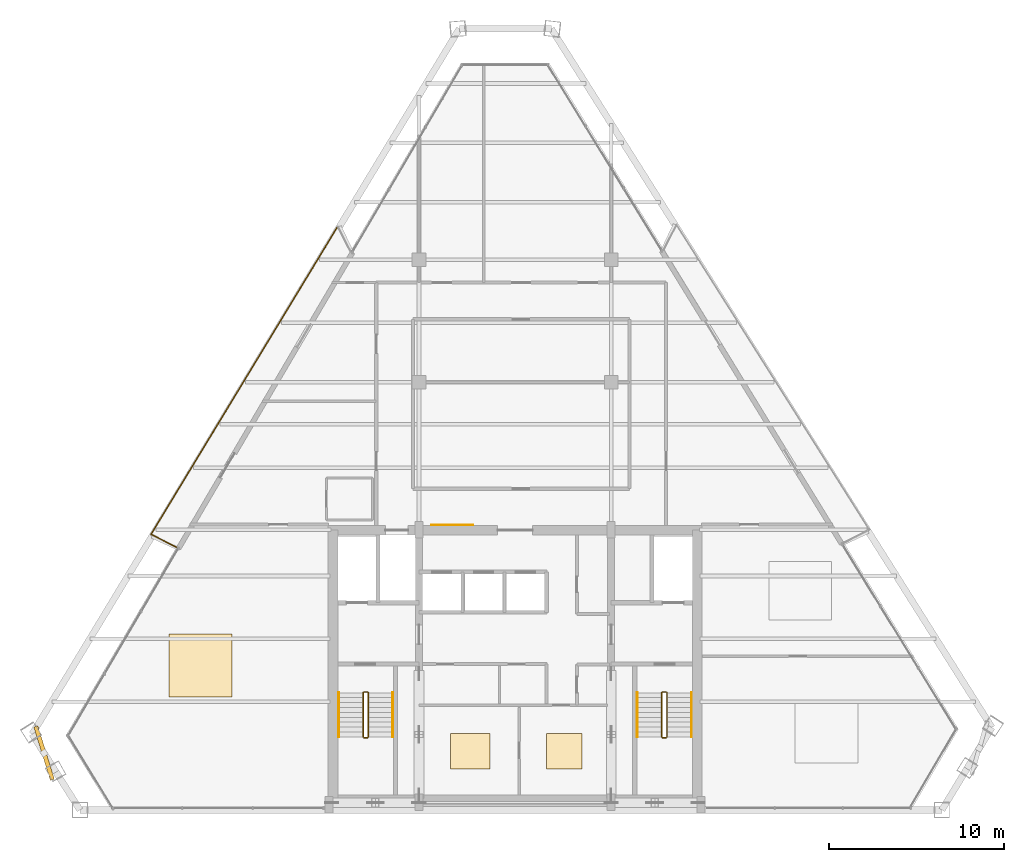
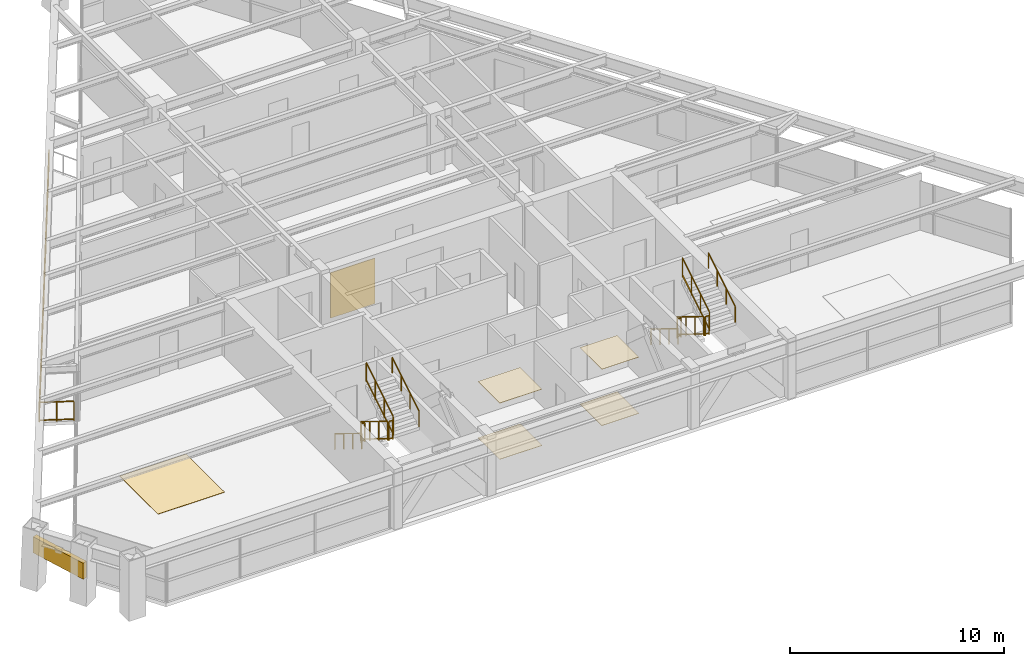
# One storey, part 12 of 13: 14 railings, 6 coverings, 1 shading device.
"""IFC4 building model written with IfcOpenShell, lengths in metres."""

import ifcopenshell
import ifcopenshell.guid

model = None  # the IFC model being written
_history = None  # IfcOwnerHistory: only IFC2X3 demands one
_inside = {}  # id of a spatial element -> (the spatial element, [elements in it])
_under = {}  # id of a project, library or spatial element -> (it, [spatial elements below it])
_declared = {}  # id of a project -> (the project, [libraries it declares])
_typed = {}  # id of a type object -> (the type object, [elements of that type])
_made_of = {}  # id of a material, layer set ... -> (it, [elements and type objects made of it])


def new_model(schema):
    """Start an empty IFC model of exactly this schema.

    Asked for "IFC4X3", IfcOpenShell would pick the latest addendum, in which some entities
    have other attributes; the version numbers below select the first issue.
    IFC2X3 requires an IfcOwnerHistory on every rooted entity: one is made here for all.
    """
    global model, _history
    if schema == "IFC4X3":
        model = ifcopenshell.file(schema_version=(4, 3, 0, 0))
    else:
        model = ifcopenshell.file(schema=schema)
    _inside.clear()
    _under.clear()
    _declared.clear()
    _typed.clear()
    _made_of.clear()
    _history = None
    if model.schema == "IFC2X3":
        org = make("IfcOrganization", Name="unknown")
        user = make(
            "IfcPersonAndOrganization",
            ThePerson=make("IfcPerson", FamilyName="unknown"),
            TheOrganization=org,
        )
        app = make(
            "IfcApplication",
            ApplicationDeveloper=org,
            Version="unknown",
            ApplicationFullName="unknown",
            ApplicationIdentifier="unknown",
        )
        _history = make(
            "IfcOwnerHistory",
            OwningUser=user,
            OwningApplication=app,
            ChangeAction="ADDED",
            CreationDate=0,
        )
    return model


def make(cls, **values):
    """One entity of the class cls with the attributes given. An attribute that is None is left unset."""
    return model.create_entity(
        cls, **{name: value for name, value in values.items() if value is not None}
    )


def rooted(cls, **values):
    """An entity with a GlobalId (a new one), such as an element, a storey or a relation."""
    return make(cls, GlobalId=ifcopenshell.guid.new(), OwnerHistory=_history, **values)


def si_unit(unit_type, name, prefix=None):
    """IfcSIUnit, for example si_unit("LENGTHUNIT", "METRE", prefix="MILLI")."""
    return make("IfcSIUnit", UnitType=unit_type, Prefix=prefix, Name=name)


def assignment(units):
    """IfcUnitAssignment: the units of a project."""
    return None if units is None else make("IfcUnitAssignment", Units=units)


def point(xyz):
    """IfcCartesianPoint."""
    return None if xyz is None else make("IfcCartesianPoint", Coordinates=xyz)


def direction(xyz):
    """IfcDirection."""
    return None if xyz is None else make("IfcDirection", DirectionRatios=xyz)


def frame(location, z_axis=None, x_axis=None):
    """IfcAxis2Placement3D, a coordinate frame: its origin and axes. An axis left out is left unset."""
    return make(
        "IfcAxis2Placement3D",
        Location=point(location),
        Axis=direction(z_axis),
        RefDirection=direction(x_axis),
    )


def frame_2d(location, x_axis=None):
    """IfcAxis2Placement2D, a coordinate frame in the plane: its origin and x axis."""
    return make(
        "IfcAxis2Placement2D", Location=point(location), RefDirection=direction(x_axis)
    )


def origin():
    """The frame at (0, 0, 0) with its axes left unset."""
    return frame((0.0, 0.0, 0.0))


def origin_2d():
    """The frame at (0, 0) in the plane with its x axis left unset."""
    return frame_2d((0.0, 0.0))


def place(relative_to, where):
    """IfcLocalPlacement: puts the frame where relative to a parent placement (None: the world)."""
    return make(
        "IfcLocalPlacement", PlacementRelTo=relative_to, RelativePlacement=where
    )


def context(
    kind, dimensions, precision=None, world=None, true_north=None, identifier=None
):
    """IfcGeometricRepresentationContext, for example the 3D "Model" context."""
    return make(
        "IfcGeometricRepresentationContext",
        ContextIdentifier=identifier,
        ContextType=kind,
        CoordinateSpaceDimension=dimensions,
        Precision=precision,
        WorldCoordinateSystem=world,
        TrueNorth=true_north,
    )


def subcontext(parent, identifier, kind, view, scale=None):
    """IfcGeometricRepresentationSubContext, for example "Body" below "Model"."""
    return make(
        "IfcGeometricRepresentationSubContext",
        ContextIdentifier=identifier,
        ContextType=kind,
        ParentContext=parent,
        TargetScale=scale,
        TargetView=view,
    )


def project(units=None, contexts=None):
    """IfcProject with its units and contexts."""
    return rooted(
        "IfcProject",
        Name="project",
        RepresentationContexts=contexts,
        UnitsInContext=assignment(units),
    )


def spatial(cls, under=None, at=None, **own):
    """A site, building, storey or space (cls), placed at a placement, below another one or the project."""
    s = rooted(cls, ObjectPlacement=at, **own)
    if under is not None:
        _under.setdefault(under.id(), (under, []))[1].append(s)
    return s


def profile(cls, at=None, kind="AREA", **sizes):
    """A parametric profile (cls). Its sizes go by their IFC names, for example OverallWidth=200.0."""
    return make(cls, ProfileType=kind, Position=at, **sizes)


def rectangle(**sizes):
    """IfcRectangleProfileDef."""
    return profile("IfcRectangleProfileDef", **sizes)


def extrude(swept, where, along, depth):
    """IfcExtrudedAreaSolid: the profile swept, set in the frame where, extruded along a direction by depth."""
    return make(
        "IfcExtrudedAreaSolid",
        SweptArea=swept,
        Position=where,
        ExtrudedDirection=direction(along),
        Depth=depth,
    )


def shape(context_of_items, identifier, shape_type, items):
    """IfcShapeRepresentation: the items that make up one representation, for example the "Body"."""
    return make(
        "IfcShapeRepresentation",
        ContextOfItems=context_of_items,
        RepresentationIdentifier=identifier,
        RepresentationType=shape_type,
        Items=items,
    )


def source(mapping_origin, context_of_items, identifier, shape_type, items):
    """IfcRepresentationMap: a shape defined once, which mapped items show again and again."""
    return make(
        "IfcRepresentationMap",
        MappingOrigin=mapping_origin,
        MappedRepresentation=shape(context_of_items, identifier, shape_type, items),
    )


def transform(
    local_origin,
    x_axis=None,
    y_axis=None,
    z_axis=None,
    scale=None,
    scale2=None,
    scale3=None,
    uniform=True,
):
    """IfcCartesianTransformationOperator3D, or its non-uniform kind. x_axis, y_axis, z_axis: its Axis1, 2, 3."""
    if uniform:
        return make(
            "IfcCartesianTransformationOperator3D",
            Axis1=direction(x_axis),
            Axis2=direction(y_axis),
            LocalOrigin=point(local_origin),
            Scale=scale,
            Axis3=direction(z_axis),
        )
    return make(
        "IfcCartesianTransformationOperator3DnonUniform",
        Axis1=direction(x_axis),
        Axis2=direction(y_axis),
        LocalOrigin=point(local_origin),
        Scale=scale,
        Axis3=direction(z_axis),
        Scale2=scale2,
        Scale3=scale3,
    )


def mapped(mapping_source, mapping_target):
    """IfcMappedItem: shows the shape of a source again, moved by a transform."""
    return make(
        "IfcMappedItem", MappingSource=mapping_source, MappingTarget=mapping_target
    )


def material(Name=None, Category=None):
    """IfcMaterial."""
    return make("IfcMaterial", Name=Name, Category=Category)


def layer(
    of_material, thickness, ventilated=None, Name=None, Category=None, Priority=None
):
    """IfcMaterialLayer: one layer of a wall or slab, of a material (None: an air gap)."""
    return make(
        "IfcMaterialLayer",
        Material=of_material,
        LayerThickness=thickness,
        IsVentilated=ventilated,
        Name=Name,
        Category=Category,
        Priority=Priority,
    )


def layer_set(layers, Name=None):
    """IfcMaterialLayerSet."""
    return make("IfcMaterialLayerSet", MaterialLayers=layers, LayerSetName=Name)


def made_of(thing, what):
    """Note that an element or type object is made of a material, layer set ...; save() writes the relation."""
    if what is not None:
        _made_of.setdefault(what.id(), (what, []))[1].append(thing)
    return thing


def type_object(cls, material=None, **own):
    """A type object (cls), such as IfcWallType, which elements share."""
    return made_of(rooted(cls, **own), material)


def type_shapes(of_type, sources):
    """Give a type object the sources (RepresentationMaps) that its elements show as mapped items."""
    of_type.RepresentationMaps = sources


def element(
    cls,
    number,
    at=None,
    inside=None,
    cuts=None,
    type_object=None,
    material=None,
    context=None,
    identifier="Body",
    shape_type=None,
    held_by="IfcProductDefinitionShape",
    body=None,
    shapes=None,
    **own,
):
    """One element of the class cls, such as IfcWall. Its Tag is "e" and its number.

    at: its placement. inside: the storey or other place that contains it. cuts: it is an
    opening in that element (IfcRelVoidsElement). A single representation is given by context,
    identifier, shape_type and body (its items); several are given by shapes. held_by: the class
    of the entity that holds the representations. save() writes the other relations.
    """
    e = rooted(cls, Tag="e%d" % number, ObjectPlacement=at, **own)
    if body is not None:
        shapes = [shape(context, identifier, shape_type, body)]
    if shapes is not None:
        e.Representation = make(held_by, Representations=shapes)
    if inside is not None:
        _inside.setdefault(inside.id(), (inside, []))[1].append(e)
    if cuts is not None:
        rooted(
            "IfcRelVoidsElement", RelatingBuildingElement=cuts, RelatedOpeningElement=e
        )
    if type_object is not None:
        _typed.setdefault(type_object.id(), (type_object, []))[1].append(e)
    return made_of(e, material)


def aggregate(whole, parts):
    """IfcRelAggregates: a whole, such as a stair, and the parts it consists of."""
    return rooted("IfcRelAggregates", RelatingObject=whole, RelatedObjects=parts)


def save(model, path):
    """Write the relations noted so far, then the file.

    IfcRelAggregates (storeys below a building ...), IfcRelContainedInSpatialStructure (elements
    in a storey), IfcRelDefinesByType, IfcRelAssociatesMaterial and IfcRelDeclares: one each for
    every whole, place, type object, material and project.
    """
    for whole, parts in _under.values():
        aggregate(whole, parts)
    for where, things in _inside.values():
        rooted(
            "IfcRelContainedInSpatialStructure",
            RelatedElements=things,
            RelatingStructure=where,
        )
    for kind, things in _typed.values():
        rooted("IfcRelDefinesByType", RelatedObjects=things, RelatingType=kind)
    for what, things in _made_of.values():
        rooted("IfcRelAssociatesMaterial", RelatedObjects=things, RelatingMaterial=what)
    for by, libraries in _declared.values():
        rooted("IfcRelDeclares", RelatingContext=by, RelatedDefinitions=libraries)
    model.write(path)


model = new_model("IFC4")

# Units and contexts
model_context = context("Model", 3, precision=1e-05, world=origin(), true_north=direction((0.0, 1.0)))
body_context = subcontext(model_context, "Body", "Model", "MODEL_VIEW")
ifc_project = project(units=[si_unit("LENGTHUNIT", "METRE"), si_unit("AREAUNIT", "SQUARE_METRE"), si_unit("VOLUMEUNIT", "CUBIC_METRE"), si_unit("PLANEANGLEUNIT", "RADIAN"), si_unit("MASSUNIT", "GRAM", prefix="KILO")], contexts=[model_context])

# Site, building, storey
site_placement = place(None, origin())
site = spatial("IfcSite", under=ifc_project, at=site_placement, CompositionType="ELEMENT")
building_placement = place(site_placement, origin())
building = spatial("IfcBuilding", under=site, at=building_placement, Name="Varnakhor Terracotta Tower", CompositionType="ELEMENT")
storey_placement = place(building_placement, frame((0.0, 0.0, 244.14990234375)))
storey = spatial("IfcBuildingStorey", under=building, at=storey_placement, Name="L63", CompositionType="ELEMENT", Elevation=244.14990234375)

# Railings
ifc_material_1 = material(Name="Stainless Steel & Laminated Glass Guardrail", Category="steel")
railing_type_1 = type_object("IfcRailingType", Name="RLG-LOGGIA-GUARD-1150", PredefinedType="GUARDRAIL", material=ifc_material_1)
railing_1_placement = place(storey_placement, frame((-19.388427734375, 15.04638671875, 0.0)))
element("IfcRailing", 1, at=railing_1_placement, inside=storey, type_object=railing_type_1, Name="L63 W Loggia Glass Guard 1", PredefinedType="GUARDRAIL", context=body_context, shape_type="SweptSolid", body=[
    extrude(rectangle(XDim=0.048095703125, YDim=0.048095703125, at=origin_2d()), frame((0.0, 0.0, 1.1259765625), z_axis=(-0.892538999263, 0.450970214976, 0.0), x_axis=(-0.450970214976, -0.892538999263, 0.0)), (0.0, 0.0, 1.0), 1.635986328125),
    extrude(rectangle(XDim=0.048095703125, YDim=0.048095703125, at=origin_2d()), frame((0.0, 0.0, 0.10009765625), z_axis=(-0.892538999263, 0.450970214976, 0.0), x_axis=(-0.450970214976, -0.892538999263, 0.0)), (0.0, 0.0, 1.0), 1.635986328125),
    extrude(rectangle(XDim=0.0419921875, YDim=0.0419921875, at=origin_2d()), origin(), (0.0, 0.0, 1.0), 1.101806640625),
    extrude(rectangle(XDim=0.0419921875, YDim=0.0419921875, at=origin_2d()), frame((-0.72998046875, 0.368896484375, 0.0)), (0.0, 0.0, 1.0), 1.101806640625),
    extrude(rectangle(XDim=0.0419921875, YDim=0.0419921875, at=origin_2d()), frame((-1.460205078125, 0.73779296875, 0.0)), (0.0, 0.0, 1.0), 1.101806640625),
])
railing_2_placement = place(storey_placement, frame((-20.8486328125, 15.7841796875, 0.0)))
element("IfcRailing", 2, at=railing_2_placement, inside=storey, type_object=railing_type_1, Name="L63 W Loggia Glass Guard 2", PredefinedType="GUARDRAIL", context=body_context, shape_type="SweptSolid", body=[
    extrude(rectangle(XDim=0.048095703125, YDim=0.048095703125, at=origin_2d()), frame((0.0, 0.0, 1.1259765625), z_axis=(0.518813647175, 0.854887360712, 0.0), x_axis=(-0.854887360712, 0.518813647175, 0.0)), (0.0, 0.0, 1.0), 20.6064453125),
    extrude(rectangle(XDim=0.048095703125, YDim=0.048095703125, at=origin_2d()), frame((0.0, 0.0, 0.10009765625), z_axis=(0.518813647175, 0.854887360712, 0.0), x_axis=(-0.854887360712, 0.518813647175, 0.0)), (0.0, 0.0, 1.0), 20.6064453125),
    extrude(rectangle(XDim=0.0419921875, YDim=0.0419921875, at=origin_2d()), origin(), (0.0, 0.0, 1.0), 1.101806640625),
    extrude(rectangle(XDim=0.0419921875, YDim=0.0419921875, at=origin_2d()), frame((0.712646484375, 1.17431640625, 0.0)), (0.0, 0.0, 1.0), 1.101806640625),
    extrude(rectangle(XDim=0.0419921875, YDim=0.0419921875, at=origin_2d()), frame((1.425537109375, 2.348876953125, 0.0)), (0.0, 0.0, 1.0), 1.101806640625),
    extrude(rectangle(XDim=0.0419921875, YDim=0.0419921875, at=origin_2d()), frame((2.13818359375, 3.523193359375, 0.0)), (0.0, 0.0, 1.0), 1.101806640625),
    extrude(rectangle(XDim=0.0419921875, YDim=0.0419921875, at=origin_2d()), frame((2.850830078125, 4.69775390625, 0.0)), (0.0, 0.0, 1.0), 1.101806640625),
    extrude(rectangle(XDim=0.0419921875, YDim=0.0419921875, at=origin_2d()), frame((3.563720703125, 5.8720703125, 0.0)), (0.0, 0.0, 1.0), 1.101806640625),
    extrude(rectangle(XDim=0.0419921875, YDim=0.0419921875, at=origin_2d()), frame((4.2763671875, 7.04638671875, 0.0)), (0.0, 0.0, 1.0), 1.101806640625),
    extrude(rectangle(XDim=0.0419921875, YDim=0.0419921875, at=origin_2d()), frame((4.989013671875, 8.220947265625, 0.0)), (0.0, 0.0, 1.0), 1.101806640625),
    extrude(rectangle(XDim=0.0419921875, YDim=0.0419921875, at=origin_2d()), frame((5.701904296875, 9.395263671875, 0.0)), (0.0, 0.0, 1.0), 1.101806640625),
    extrude(rectangle(XDim=0.0419921875, YDim=0.0419921875, at=origin_2d()), frame((6.41455078125, 10.56982421875, 0.0)), (0.0, 0.0, 1.0), 1.101806640625),
    extrude(rectangle(XDim=0.0419921875, YDim=0.0419921875, at=origin_2d()), frame((7.127197265625, 11.744140625, 0.0)), (0.0, 0.0, 1.0), 1.101806640625),
    extrude(rectangle(XDim=0.0419921875, YDim=0.0419921875, at=origin_2d()), frame((7.840087890625, 12.91845703125, 0.0)), (0.0, 0.0, 1.0), 1.101806640625),
    extrude(rectangle(XDim=0.0419921875, YDim=0.0419921875, at=origin_2d()), frame((8.552734375, 14.093017578125, 0.0)), (0.0, 0.0, 1.0), 1.101806640625),
    extrude(rectangle(XDim=0.0419921875, YDim=0.0419921875, at=origin_2d()), frame((9.265380859375, 15.267333984375, 0.0)), (0.0, 0.0, 1.0), 1.101806640625),
    extrude(rectangle(XDim=0.0419921875, YDim=0.0419921875, at=origin_2d()), frame((9.978271484375, 16.44189453125, 0.0)), (0.0, 0.0, 1.0), 1.101806640625),
    extrude(rectangle(XDim=0.0419921875, YDim=0.0419921875, at=origin_2d()), frame((10.69091796875, 17.6162109375, 0.0)), (0.0, 0.0, 1.0), 1.101806640625),
])
ifc_material_2 = material(Name="Painted Steel Stairwell Guardrail", Category="steel")
railing_type_2 = type_object("IfcRailingType", Name="RLG-STAIR-GUARD-1120", PredefinedType="GUARDRAIL", material=ifc_material_2)
railing_3_placement = place(storey_placement, frame((-8.699951171875, 6.7099609375, 0.172607421875)))
element("IfcRailing", 3, at=railing_3_placement, inside=storey, type_object=railing_type_2, Name="L63 ST-1 stair guard 1", PredefinedType="GUARDRAIL", context=body_context, shape_type="SweptSolid", body=[
    extrude(rectangle(XDim=0.048095703125, YDim=0.048095703125, at=origin_2d()), frame((0.0, 0.0, 1.09619140625), z_axis=(0.0, -0.851400495292, 0.524516154772), x_axis=(1.0, 0.0, 0.0)), (0.0, 0.0, 1.0), 2.9599609375),
    extrude(rectangle(XDim=0.048095703125, YDim=0.048095703125, at=origin_2d()), frame((0.0, 0.0, 0.10009765625), z_axis=(0.0, -0.851400495292, 0.524516154772), x_axis=(1.0, 0.0, 0.0)), (0.0, 0.0, 1.0), 2.9599609375),
    extrude(rectangle(XDim=0.0419921875, YDim=0.0419921875, at=origin_2d()), origin(), (0.0, 0.0, 1.0), 1.072021484375),
    extrude(rectangle(XDim=0.0419921875, YDim=0.0419921875, at=origin_2d()), frame((0.0, -0.840087890625, 0.517578125)), (0.0, 0.0, 1.0), 1.072021484375),
    extrude(rectangle(XDim=0.0419921875, YDim=0.0419921875, at=origin_2d()), frame((0.0, -1.679931640625, 1.034912109375)), (0.0, 0.0, 1.0), 1.072021484375),
    extrude(rectangle(XDim=0.0419921875, YDim=0.0419921875, at=origin_2d()), frame((0.0, -2.52001953125, 1.552490234375)), (0.0, 0.0, 1.0), 1.072021484375),
])
railing_4_placement = place(storey_placement, frame((-8.64990234375, 4.139892578125, 1.72509765625)))
element("IfcRailing", 4, at=railing_4_placement, inside=storey, type_object=railing_type_2, Name="L63 ST-1 stair guard 2", PredefinedType="GUARDRAIL", context=body_context, shape_type="SweptSolid", body=[
    extrude(rectangle(XDim=0.048095703125, YDim=0.048095703125, at=origin_2d()), frame((0.0, 0.0, 1.09619140625), z_axis=(1.0, 0.0, 0.0), x_axis=(0.0, 1.0, 0.0)), (0.0, 0.0, 1.0), 0.199951171875),
    extrude(rectangle(XDim=0.048095703125, YDim=0.048095703125, at=origin_2d()), frame((0.0, 0.0, 0.10009765625), z_axis=(1.0, 0.0, 0.0), x_axis=(0.0, 1.0, 0.0)), (0.0, 0.0, 1.0), 0.199951171875),
    extrude(rectangle(XDim=0.0419921875, YDim=0.0419921875, at=origin_2d()), origin(), (0.0, 0.0, 1.0), 1.072021484375),
    extrude(rectangle(XDim=0.0419921875, YDim=0.0419921875, at=origin_2d()), frame((0.199951171875, 0.0, 0.0)), (0.0, 0.0, 1.0), 1.072021484375),
])
railing_5_placement = place(storey_placement, frame((-8.39990234375, 4.18994140625, 1.897705078125)))
element("IfcRailing", 5, at=railing_5_placement, inside=storey, type_object=railing_type_2, Name="L63 ST-1 stair guard 3", PredefinedType="GUARDRAIL", context=body_context, shape_type="SweptSolid", body=[
    extrude(rectangle(XDim=0.048095703125, YDim=0.048095703125, at=origin_2d()), frame((0.0, 0.0, 1.09619140625), z_axis=(0.0, 0.851400495292, 0.524516154772), x_axis=(-1.0, 0.0, 0.0)), (0.0, 0.0, 1.0), 2.9599609375),
    extrude(rectangle(XDim=0.048095703125, YDim=0.048095703125, at=origin_2d()), frame((0.0, 0.0, 0.10009765625), z_axis=(0.0, 0.851400495292, 0.524516154772), x_axis=(-1.0, 0.0, 0.0)), (0.0, 0.0, 1.0), 2.9599609375),
    extrude(rectangle(XDim=0.0419921875, YDim=0.0419921875, at=origin_2d()), origin(), (0.0, 0.0, 1.0), 1.072021484375),
    extrude(rectangle(XDim=0.0419921875, YDim=0.0419921875, at=origin_2d()), frame((0.0, 0.840087890625, 0.517578125)), (0.0, 0.0, 1.0), 1.072021484375),
    extrude(rectangle(XDim=0.0419921875, YDim=0.0419921875, at=origin_2d()), frame((0.0, 1.679931640625, 1.034912109375)), (0.0, 0.0, 1.0), 1.072021484375),
    extrude(rectangle(XDim=0.0419921875, YDim=0.0419921875, at=origin_2d()), frame((0.0, 2.52001953125, 1.552490234375)), (0.0, 0.0, 1.0), 1.072021484375),
])
railing_6_placement = place(storey_placement, frame((-8.64990234375, 6.760009765625, 0.0)))
element("IfcRailing", 6, at=railing_6_placement, inside=storey, type_object=railing_type_2, Name="L63 ST-1 stair guard 4", PredefinedType="GUARDRAIL", context=body_context, shape_type="SweptSolid", body=[
    extrude(rectangle(XDim=0.048095703125, YDim=0.048095703125, at=origin_2d()), frame((0.0, 0.0, 1.09619140625), z_axis=(1.0, 0.0, 0.0), x_axis=(0.0, 1.0, 0.0)), (0.0, 0.0, 1.0), 0.199951171875),
    extrude(rectangle(XDim=0.048095703125, YDim=0.048095703125, at=origin_2d()), frame((0.0, 0.0, 0.10009765625), z_axis=(1.0, 0.0, 0.0), x_axis=(0.0, 1.0, 0.0)), (0.0, 0.0, 1.0), 0.199951171875),
    extrude(rectangle(XDim=0.0419921875, YDim=0.0419921875, at=origin_2d()), origin(), (0.0, 0.0, 1.0), 1.072021484375),
    extrude(rectangle(XDim=0.0419921875, YDim=0.0419921875, at=origin_2d()), frame((0.199951171875, 0.0, 0.0)), (0.0, 0.0, 1.0), 1.072021484375),
])
railing_7_placement = place(storey_placement, frame((8.39990234375, 6.7099609375, 0.172607421875)))
element("IfcRailing", 7, at=railing_7_placement, inside=storey, type_object=railing_type_2, Name="L63 ST-2 stair guard 1", PredefinedType="GUARDRAIL", context=body_context, shape_type="SweptSolid", body=[
    extrude(rectangle(XDim=0.048095703125, YDim=0.048095703125, at=origin_2d()), frame((0.0, 0.0, 1.09619140625), z_axis=(0.0, -0.851400495292, 0.524516154772), x_axis=(1.0, 0.0, 0.0)), (0.0, 0.0, 1.0), 2.9599609375),
    extrude(rectangle(XDim=0.048095703125, YDim=0.048095703125, at=origin_2d()), frame((0.0, 0.0, 0.10009765625), z_axis=(0.0, -0.851400495292, 0.524516154772), x_axis=(1.0, 0.0, 0.0)), (0.0, 0.0, 1.0), 2.9599609375),
    extrude(rectangle(XDim=0.0419921875, YDim=0.0419921875, at=origin_2d()), origin(), (0.0, 0.0, 1.0), 1.072021484375),
    extrude(rectangle(XDim=0.0419921875, YDim=0.0419921875, at=origin_2d()), frame((0.0, -0.840087890625, 0.517578125)), (0.0, 0.0, 1.0), 1.072021484375),
    extrude(rectangle(XDim=0.0419921875, YDim=0.0419921875, at=origin_2d()), frame((0.0, -1.679931640625, 1.034912109375)), (0.0, 0.0, 1.0), 1.072021484375),
    extrude(rectangle(XDim=0.0419921875, YDim=0.0419921875, at=origin_2d()), frame((0.0, -2.52001953125, 1.552490234375)), (0.0, 0.0, 1.0), 1.072021484375),
])
railing_8_placement = place(storey_placement, frame((8.449951171875, 4.139892578125, 1.72509765625)))
element("IfcRailing", 8, at=railing_8_placement, inside=storey, type_object=railing_type_2, Name="L63 ST-2 stair guard 2", PredefinedType="GUARDRAIL", context=body_context, shape_type="SweptSolid", body=[
    extrude(rectangle(XDim=0.048095703125, YDim=0.048095703125, at=origin_2d()), frame((0.0, 0.0, 1.09619140625), z_axis=(1.0, 0.0, 0.0), x_axis=(0.0, 1.0, 0.0)), (0.0, 0.0, 1.0), 0.199951171875),
    extrude(rectangle(XDim=0.048095703125, YDim=0.048095703125, at=origin_2d()), frame((0.0, 0.0, 0.10009765625), z_axis=(1.0, 0.0, 0.0), x_axis=(0.0, 1.0, 0.0)), (0.0, 0.0, 1.0), 0.199951171875),
    extrude(rectangle(XDim=0.0419921875, YDim=0.0419921875, at=origin_2d()), origin(), (0.0, 0.0, 1.0), 1.072021484375),
    extrude(rectangle(XDim=0.0419921875, YDim=0.0419921875, at=origin_2d()), frame((0.199951171875, 0.0, 0.0)), (0.0, 0.0, 1.0), 1.072021484375),
])
railing_9_placement = place(storey_placement, frame((8.699951171875, 4.18994140625, 1.897705078125)))
element("IfcRailing", 9, at=railing_9_placement, inside=storey, type_object=railing_type_2, Name="L63 ST-2 stair guard 3", PredefinedType="GUARDRAIL", context=body_context, shape_type="SweptSolid", body=[
    extrude(rectangle(XDim=0.048095703125, YDim=0.048095703125, at=origin_2d()), frame((0.0, 0.0, 1.09619140625), z_axis=(0.0, 0.851400495292, 0.524516154772), x_axis=(-1.0, 0.0, 0.0)), (0.0, 0.0, 1.0), 2.9599609375),
    extrude(rectangle(XDim=0.048095703125, YDim=0.048095703125, at=origin_2d()), frame((0.0, 0.0, 0.10009765625), z_axis=(0.0, 0.851400495292, 0.524516154772), x_axis=(-1.0, 0.0, 0.0)), (0.0, 0.0, 1.0), 2.9599609375),
    extrude(rectangle(XDim=0.0419921875, YDim=0.0419921875, at=origin_2d()), origin(), (0.0, 0.0, 1.0), 1.072021484375),
    extrude(rectangle(XDim=0.0419921875, YDim=0.0419921875, at=origin_2d()), frame((0.0, 0.840087890625, 0.517578125)), (0.0, 0.0, 1.0), 1.072021484375),
    extrude(rectangle(XDim=0.0419921875, YDim=0.0419921875, at=origin_2d()), frame((0.0, 1.679931640625, 1.034912109375)), (0.0, 0.0, 1.0), 1.072021484375),
    extrude(rectangle(XDim=0.0419921875, YDim=0.0419921875, at=origin_2d()), frame((0.0, 2.52001953125, 1.552490234375)), (0.0, 0.0, 1.0), 1.072021484375),
])
railing_10_placement = place(storey_placement, frame((8.449951171875, 6.760009765625, 0.0)))
element("IfcRailing", 10, at=railing_10_placement, inside=storey, type_object=railing_type_2, Name="L63 ST-2 stair guard 4", PredefinedType="GUARDRAIL", context=body_context, shape_type="SweptSolid", body=[
    extrude(rectangle(XDim=0.048095703125, YDim=0.048095703125, at=origin_2d()), frame((0.0, 0.0, 1.09619140625), z_axis=(1.0, 0.0, 0.0), x_axis=(0.0, 1.0, 0.0)), (0.0, 0.0, 1.0), 0.199951171875),
    extrude(rectangle(XDim=0.048095703125, YDim=0.048095703125, at=origin_2d()), frame((0.0, 0.0, 0.10009765625), z_axis=(1.0, 0.0, 0.0), x_axis=(0.0, 1.0, 0.0)), (0.0, 0.0, 1.0), 0.199951171875),
    extrude(rectangle(XDim=0.0419921875, YDim=0.0419921875, at=origin_2d()), origin(), (0.0, 0.0, 1.0), 1.072021484375),
    extrude(rectangle(XDim=0.0419921875, YDim=0.0419921875, at=origin_2d()), frame((0.199951171875, 0.0, 0.0)), (0.0, 0.0, 1.0), 1.072021484375),
])
ifc_material_3 = material(Name="Brushed Stainless Steel Handrail", Category="steel")
railing_type_3 = type_object("IfcRailingType", Name="RLG-STAIR-HANDRAIL-920", PredefinedType="HANDRAIL", material=ifc_material_3)
railing_11_placement = place(storey_placement, frame((-10.10009765625, 6.7099609375, 0.172607421875)))
element("IfcRailing", 11, at=railing_11_placement, inside=storey, type_object=railing_type_3, Name="L63 ST-1 stair handrail 1", PredefinedType="HANDRAIL", context=body_context, shape_type="SweptSolid", body=[
    extrude(rectangle(XDim=0.048095703125, YDim=0.048095703125, at=origin_2d()), frame((0.0, 0.0, 0.89599609375), z_axis=(0.0, -0.851400495292, 0.524516154772), x_axis=(1.0, 0.0, 0.0)), (0.0, 0.0, 1.0), 2.9599609375),
    extrude(rectangle(XDim=0.0419921875, YDim=0.0419921875, at=origin_2d()), origin(), (0.0, 0.0, 1.0), 0.871826171875),
    extrude(rectangle(XDim=0.0419921875, YDim=0.0419921875, at=origin_2d()), frame((0.0, -0.840087890625, 0.517578125)), (0.0, 0.0, 1.0), 0.871826171875),
    extrude(rectangle(XDim=0.0419921875, YDim=0.0419921875, at=origin_2d()), frame((0.0, -1.679931640625, 1.034912109375)), (0.0, 0.0, 1.0), 0.871826171875),
    extrude(rectangle(XDim=0.0419921875, YDim=0.0419921875, at=origin_2d()), frame((0.0, -2.52001953125, 1.552490234375)), (0.0, 0.0, 1.0), 0.871826171875),
])
railing_12_placement = place(storey_placement, frame((-7.0, 4.18994140625, 1.897705078125)))
element("IfcRailing", 12, at=railing_12_placement, inside=storey, type_object=railing_type_3, Name="L63 ST-1 stair handrail 2", PredefinedType="HANDRAIL", context=body_context, shape_type="SweptSolid", body=[
    extrude(rectangle(XDim=0.048095703125, YDim=0.048095703125, at=origin_2d()), frame((0.0, 0.0, 0.89599609375), z_axis=(0.0, 0.851400495292, 0.524516154772), x_axis=(-1.0, 0.0, 0.0)), (0.0, 0.0, 1.0), 2.9599609375),
    extrude(rectangle(XDim=0.0419921875, YDim=0.0419921875, at=origin_2d()), origin(), (0.0, 0.0, 1.0), 0.871826171875),
    extrude(rectangle(XDim=0.0419921875, YDim=0.0419921875, at=origin_2d()), frame((0.0, 0.840087890625, 0.517578125)), (0.0, 0.0, 1.0), 0.871826171875),
    extrude(rectangle(XDim=0.0419921875, YDim=0.0419921875, at=origin_2d()), frame((0.0, 1.679931640625, 1.034912109375)), (0.0, 0.0, 1.0), 0.871826171875),
    extrude(rectangle(XDim=0.0419921875, YDim=0.0419921875, at=origin_2d()), frame((0.0, 2.52001953125, 1.552490234375)), (0.0, 0.0, 1.0), 0.871826171875),
])
railing_13_placement = place(storey_placement, frame((7.0, 6.7099609375, 0.172607421875)))
element("IfcRailing", 13, at=railing_13_placement, inside=storey, type_object=railing_type_3, Name="L63 ST-2 stair handrail 1", PredefinedType="HANDRAIL", context=body_context, shape_type="SweptSolid", body=[
    extrude(rectangle(XDim=0.048095703125, YDim=0.048095703125, at=origin_2d()), frame((0.0, 0.0, 0.89599609375), z_axis=(0.0, -0.851400495292, 0.524516154772), x_axis=(1.0, 0.0, 0.0)), (0.0, 0.0, 1.0), 2.9599609375),
    extrude(rectangle(XDim=0.0419921875, YDim=0.0419921875, at=origin_2d()), origin(), (0.0, 0.0, 1.0), 0.871826171875),
    extrude(rectangle(XDim=0.0419921875, YDim=0.0419921875, at=origin_2d()), frame((0.0, -0.840087890625, 0.517578125)), (0.0, 0.0, 1.0), 0.871826171875),
    extrude(rectangle(XDim=0.0419921875, YDim=0.0419921875, at=origin_2d()), frame((0.0, -1.679931640625, 1.034912109375)), (0.0, 0.0, 1.0), 0.871826171875),
    extrude(rectangle(XDim=0.0419921875, YDim=0.0419921875, at=origin_2d()), frame((0.0, -2.52001953125, 1.552490234375)), (0.0, 0.0, 1.0), 0.871826171875),
])
railing_14_placement = place(storey_placement, frame((10.10009765625, 4.18994140625, 1.897705078125)))
element("IfcRailing", 14, at=railing_14_placement, inside=storey, type_object=railing_type_3, Name="L63 ST-2 stair handrail 2", PredefinedType="HANDRAIL", context=body_context, shape_type="SweptSolid", body=[
    extrude(rectangle(XDim=0.048095703125, YDim=0.048095703125, at=origin_2d()), frame((0.0, 0.0, 0.89599609375), z_axis=(0.0, 0.851400495292, 0.524516154772), x_axis=(-1.0, 0.0, 0.0)), (0.0, 0.0, 1.0), 2.9599609375),
    extrude(rectangle(XDim=0.0419921875, YDim=0.0419921875, at=origin_2d()), origin(), (0.0, 0.0, 1.0), 0.871826171875),
    extrude(rectangle(XDim=0.0419921875, YDim=0.0419921875, at=origin_2d()), frame((0.0, 0.840087890625, 0.517578125)), (0.0, 0.0, 1.0), 0.871826171875),
    extrude(rectangle(XDim=0.0419921875, YDim=0.0419921875, at=origin_2d()), frame((0.0, 1.679931640625, 1.034912109375)), (0.0, 0.0, 1.0), 0.871826171875),
    extrude(rectangle(XDim=0.0419921875, YDim=0.0419921875, at=origin_2d()), frame((0.0, 2.52001953125, 1.552490234375)), (0.0, 0.0, 1.0), 0.871826171875),
])

# Shading device
ifc_material_4 = material(Name="Extruded Architectural Terracotta Screen", Category="masonry")
shading_device_type = type_object("IfcShadingDeviceType", Name="TERRACOTTA SOLAR SCREEN W", PredefinedType="USERDEFINED", material=ifc_material_4)
shared_shape_1 = source(origin(), body_context, "Body", "SweptSolid", [
    extrude(rectangle(XDim=3.199951171875, YDim=0.239990234375, at=origin_2d()), origin(), (0.0, 0.0, 1.0), 0.919921875),
])
type_shapes(shading_device_type, [shared_shape_1])
shading_device_placement = place(storey_placement, frame((-26.9677734375, 3.25634765625, 1.562255859375), z_axis=(0.0, 0.0, 1.0), x_axis=(0.296241531983, -0.955113058611, 0.0)))
element("IfcShadingDevice", 15, at=shading_device_placement, inside=storey, type_object=shading_device_type, Name="L63 W Terracotta Solar Screen", ObjectType="SCREEN", PredefinedType="USERDEFINED", context=body_context, shape_type="MappedRepresentation", body=[
    mapped(shared_shape_1, transform((0.0, 0.0, 0.0), scale=1.0)),
])

# Coverings
ifc_material_5 = material(Name="Extruded Architectural Terracotta Cladding", Category="masonry")
ifc_layer_1 = layer(ifc_material_5, 0.044921875, Name="Extruded Architectural Terracotta Cladding")
ifc_layer_set_1 = layer_set([ifc_layer_1], Name="Extruded Architectural Terracotta Cladding")
covering_type_1 = type_object("IfcCoveringType", Name="COV-CLAD-TERRACOTTA", PredefinedType="CLADDING", material=ifc_layer_set_1)
shared_shape_2 = source(origin(), body_context, "Body", "SweptSolid", [
    extrude(rectangle(XDim=2.39990234375, YDim=0.030029296875, at=origin_2d()), origin(), (0.0, 0.0, 1.0), 2.60009765625),
])
type_shapes(covering_type_1, [shared_shape_2])
covering_1_placement = place(storey_placement, frame((-3.60009765625, 16.31201171875, 0.0), z_axis=(0.0, 0.0, 1.0), x_axis=(1.0, 0.0, 0.0)))
element("IfcCovering", 16, at=covering_1_placement, inside=storey, type_object=covering_type_1, Name="L63 Core Lobby Limestone Cladding", PredefinedType="CLADDING", context=body_context, shape_type="MappedRepresentation", body=[
    mapped(shared_shape_2, transform((0.0, 0.0, 0.0), scale=1.0)),
])
ifc_material_6 = material(Name="Honed Riyadh Limestone Flooring", Category="masonry")
ifc_layer_2 = layer(ifc_material_6, 0.030029296875, Name="Honed Riyadh Limestone Flooring")
ifc_layer_set_2 = layer_set([ifc_layer_2], Name="Honed Riyadh Limestone Flooring")
covering_type_2 = type_object("IfcCoveringType", Name="COV-FLOOR-LIMESTONE", PredefinedType="FLOORING", material=ifc_layer_set_2)
shared_shape_3 = source(origin(), body_context, "Body", "SweptSolid", [
    extrude(rectangle(XDim=3.60009765625, YDim=3.60009765625, at=origin_2d()), origin(), (0.0, 0.0, 1.0), 0.02001953125),
])
covering_2_placement = place(storey_placement, frame((-18.006103515625, 8.26611328125, 0.0), z_axis=(0.0, 0.0, 1.0), x_axis=(1.0, 0.0, 0.0)))
element("IfcCovering", 17, at=covering_2_placement, inside=storey, type_object=covering_type_2, Name="L63 Honed Stone Flooring 4", PredefinedType="FLOORING", context=body_context, shape_type="MappedRepresentation", body=[
    mapped(shared_shape_3, transform((0.0, 0.0, 0.0), scale=1.0)),
])
shared_shape_4 = source(origin(), body_context, "Body", "SweptSolid", [
    extrude(rectangle(XDim=2.281982421875, YDim=2.041015625, at=origin_2d()), origin(), (0.0, 0.0, 1.0), 0.02001953125),
])
covering_3_placement = place(storey_placement, frame((-2.56494140625, 3.35498046875, 0.0), z_axis=(0.0, 0.0, 1.0), x_axis=(1.0, 0.0, 0.0)))
element("IfcCovering", 18, at=covering_3_placement, inside=storey, type_object=covering_type_2, Name="L63 Honed Stone Flooring 1", PredefinedType="FLOORING", context=body_context, shape_type="MappedRepresentation", body=[
    mapped(shared_shape_4, transform((0.0, 0.0, 0.0), scale=1.0)),
])
ifc_material_7 = material(Name="Perforated Acoustic Mineral-Fibre Ceiling", Category="gypsum")
ifc_layer_3 = layer(ifc_material_7, 0.02490234375, Name="Perforated Acoustic Mineral-Fibre Ceiling")
ifc_layer_set_3 = layer_set([ifc_layer_3], Name="Perforated Acoustic Mineral-Fibre Ceiling")
covering_type_3 = type_object("IfcCoveringType", Name="COV-CEILING-ACOUSTIC", PredefinedType="CEILING", material=ifc_layer_set_3)
shared_shape_5 = source(origin(), body_context, "Body", "SweptSolid", [
    extrude(rectangle(XDim=2.281982421875, YDim=2.041015625, at=origin_2d()), origin(), (0.0, 0.0, 1.0), 0.02392578125),
])
covering_4_placement = place(storey_placement, frame((-2.56494140625, 3.35498046875, 3.216064453125), z_axis=(0.0, 0.0, 1.0), x_axis=(1.0, 0.0, 0.0)))
element("IfcCovering", 19, at=covering_4_placement, inside=storey, type_object=covering_type_3, Name="L63 Acoustic Ceiling Panel 1", PredefinedType="CEILING", context=body_context, shape_type="MappedRepresentation", body=[
    mapped(shared_shape_5, transform((0.0, 0.0, 0.0), scale=1.0)),
])
shared_shape_6 = source(origin(), body_context, "Body", "SweptSolid", [
    extrude(rectangle(XDim=2.007080078125, YDim=2.041015625, at=origin_2d()), origin(), (0.0, 0.0, 1.0), 0.02001953125),
])
covering_5_placement = place(storey_placement, frame((2.81494140625, 3.35498046875, 0.0), z_axis=(0.0, 0.0, 1.0), x_axis=(1.0, 0.0, 0.0)))
element("IfcCovering", 20, at=covering_5_placement, inside=storey, type_object=covering_type_2, Name="L63 Honed Stone Flooring 2", PredefinedType="FLOORING", context=body_context, shape_type="MappedRepresentation", body=[
    mapped(shared_shape_6, transform((0.0, 0.0, 0.0), scale=1.0)),
])
shared_shape_7 = source(origin(), body_context, "Body", "SweptSolid", [
    extrude(rectangle(XDim=2.007080078125, YDim=2.041015625, at=origin_2d()), origin(), (0.0, 0.0, 1.0), 0.02392578125),
])
covering_6_placement = place(storey_placement, frame((2.81494140625, 3.35498046875, 3.216064453125), z_axis=(0.0, 0.0, 1.0), x_axis=(1.0, 0.0, 0.0)))
element("IfcCovering", 21, at=covering_6_placement, inside=storey, type_object=covering_type_3, Name="L63 Acoustic Ceiling Panel 2", PredefinedType="CEILING", context=body_context, shape_type="MappedRepresentation", body=[
    mapped(shared_shape_7, transform((0.0, 0.0, 0.0), scale=1.0)),
])

save(model, "model.ifc")
